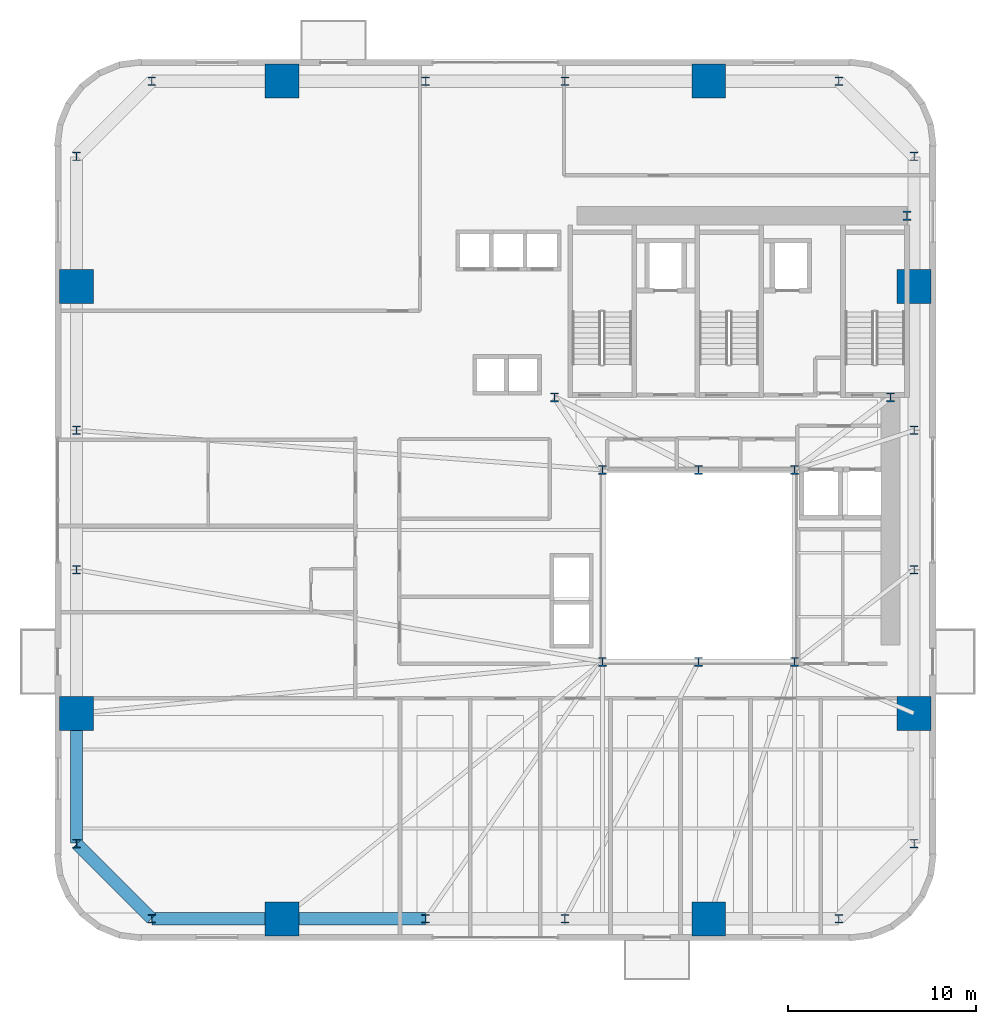
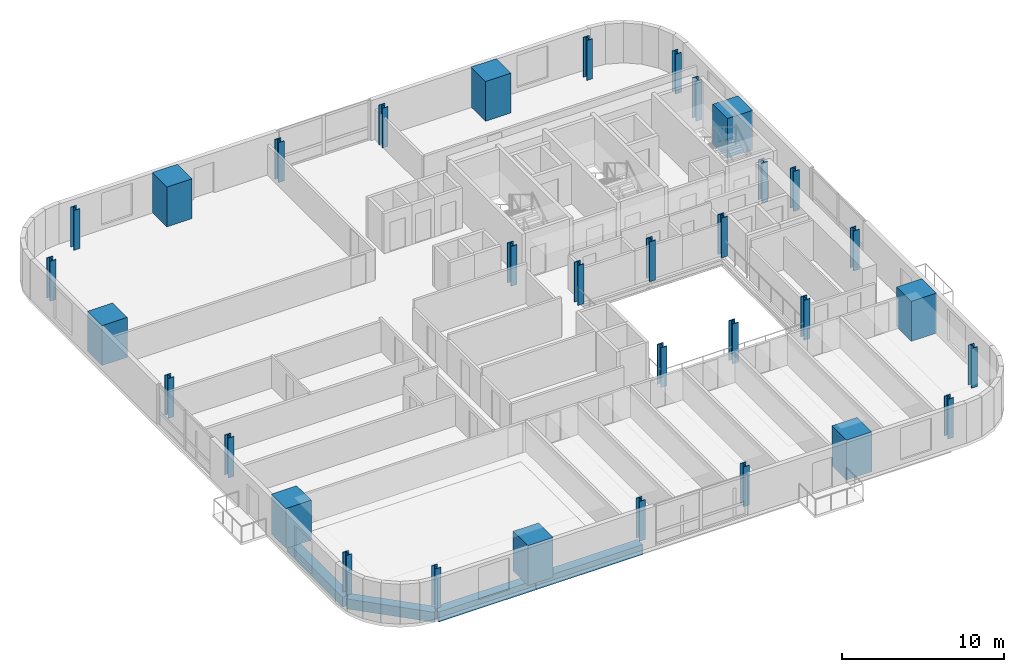
# One storey, part 1 of 13: 33 columns, 4 beams.
"""IFC4 building model written with IfcOpenShell, lengths in metres."""

from ifc_helpers import new_model, si_unit, direction, frame, origin, origin_2d, place, context, subcontext, project, spatial, rectangle, i_section, extrude, source, transform, mapped, material, material_profile, profile_set, type_object, element, save


model = new_model("IFC4")

# Units and contexts
model_context = context("Model", 3, precision=1e-05, world=origin(), true_north=direction((0.0, 1.0)))
body_context = subcontext(model_context, "Body", "Model", "MODEL_VIEW")
ifc_project = project(units=[si_unit("LENGTHUNIT", "METRE"), si_unit("AREAUNIT", "SQUARE_METRE"), si_unit("VOLUMEUNIT", "CUBIC_METRE"), si_unit("PLANEANGLEUNIT", "RADIAN"), si_unit("MASSUNIT", "GRAM", prefix="KILO")], contexts=[model_context])

# Site, building, storey
site_placement = place(None, origin())
site = spatial("IfcSite", under=ifc_project, at=site_placement, CompositionType="ELEMENT")
building_placement = place(site_placement, origin())
building = spatial("IfcBuilding", under=site, at=building_placement, Name="Vardaveli Station Tower", CompositionType="ELEMENT")
storey_placement = place(building_placement, frame((0.0, 0.0, 89.64990234375)))
storey = spatial("IfcBuildingStorey", under=building, at=storey_placement, Name="L23", CompositionType="ELEMENT", Elevation=89.64990234375)

# Columns
ifc_material_1 = material(Name="Structural steel S460M", Category="steel")
ifc_material_profile_1 = material_profile(ifc_material_1, i_section(OverallWidth=0.427978515625, OverallDepth=0.48095703125, WebThickness=0.03955078125, FlangeThickness=0.0634765625, FilletRadius=0.014892578125, at=origin_2d()), Name="HD 400x677")
ifc_profile_set_1 = profile_set([ifc_material_profile_1], Name="Structural steel S460M")
column_type_1 = type_object("IfcColumnType", Name="COL-HD677", PredefinedType="COLUMN", material=ifc_profile_set_1)
shared_shape_1 = source(origin(), body_context, "Body", "SweptSolid", [
    extrude(i_section(OverallWidth=0.427978515625, OverallDepth=0.48095703125, WebThickness=0.03955078125, FlangeThickness=0.0634765625, FilletRadius=0.014892578125, at=origin_2d()), origin(), (0.0, 0.0, 1.0), 3.0),
])
for number, where, z_axis, x_axis, name in (
    (1, (31.199951171875, 16.60009765625, 0.0), (0.0, 0.0, 1.0), (1.0, 0.0, 0.0), "COL-L23-AC1"),
    (2, (36.300048828125, 16.60009765625, 0.0), (0.0, 0.0, 1.0), (1.0, 0.0, 0.0), "COL-L23-AC2"),
    (3, (41.39990234375, 16.60009765625, 0.0), (0.0, 0.0, 1.0), (1.0, 0.0, 0.0), "COL-L23-AC3"),
    (4, (41.39990234375, 26.800048828125, 0.0), (0.0, 0.0, 1.0), (1.0, 0.0, 0.0), "COL-L23-AC4"),
    (5, (36.300048828125, 26.800048828125, 0.0), (0.0, 0.0, 1.0), (1.0, 0.0, 0.0), "COL-L23-AC5"),
    (6, (31.199951171875, 26.800048828125, 0.0), (0.0, 0.0, 1.0), (1.0, 0.0, 0.0), "COL-L23-AC6"),
    (7, (28.64990234375, 30.64990234375, 0.0), (0.0, 0.0, 1.0), (1.0, 0.0, 0.0), "COL-L23-CC1"),
    (8, (46.5, 30.64990234375, 0.0), (0.0, 0.0, 1.0), (1.0, 0.0, 0.0), "COL-L23-CC2"),
    (9, (47.3701171875, 40.300048828125, 0.0), (0.0, 0.0, 1.0), (1.0, 0.0, 0.0), "COL-L23-CC3"),
):
    element("IfcColumn", number, at=place(storey_placement, frame(where, z_axis=z_axis, x_axis=x_axis)), inside=storey, type_object=column_type_1, Name=name, PredefinedType="COLUMN", context=body_context, shape_type="MappedRepresentation", body=[
        mapped(shared_shape_1, transform((0.0, 0.0, 0.0), scale=1.0)),
    ])
ifc_material_2 = material(Name="Concrete C70/85", Category="concrete")
ifc_material_profile_2 = material_profile(ifc_material_2, rectangle(XDim=1.800048828125, YDim=1.800048828125, at=origin_2d()), Name="MC 1800x1800")
ifc_profile_set_2 = profile_set([ifc_material_profile_2], Name="Concrete C70/85")
column_type_2 = type_object("IfcColumnType", Name="COL-MC-1800", PredefinedType="COLUMN", material=ifc_profile_set_2)
shared_shape_2 = source(origin(), body_context, "Body", "SweptSolid", [
    extrude(rectangle(XDim=1.800048828125, YDim=1.800048828125, at=origin_2d()), origin(), (0.0, 0.0, 1.0), 3.0),
])
for number, where, z_axis, x_axis, name in (
    (10, (14.159912109375, 2.949951171875, 0.0), (0.0, 0.0, 1.0), (1.0, 0.0, 0.0), "COL-L23-MC1"),
    (11, (36.840087890625, 2.949951171875, 0.0), (0.0, 0.0, 1.0), (1.0, 0.0, 0.0), "COL-L23-MC2"),
    (12, (47.75, 13.860107421875, 0.0), (0.0, 0.0, 1.0), (1.0, 0.0, 0.0), "COL-L23-MC3"),
    (13, (47.75, 36.5400390625, 0.0), (0.0, 0.0, 1.0), (1.0, 0.0, 0.0), "COL-L23-MC4"),
    (14, (36.840087890625, 47.449951171875, 0.0), (0.0, 0.0, 1.0), (1.0, 0.0, 0.0), "COL-L23-MC5"),
    (15, (14.159912109375, 47.449951171875, 0.0), (0.0, 0.0, 1.0), (1.0, 0.0, 0.0), "COL-L23-MC6"),
    (16, (3.25, 36.5400390625, 0.0), (0.0, 0.0, 1.0), (1.0, 0.0, 0.0), "COL-L23-MC7"),
    (17, (3.25, 13.860107421875, 0.0), (0.0, 0.0, 1.0), (1.0, 0.0, 0.0), "COL-L23-MC8"),
):
    element("IfcColumn", number, at=place(storey_placement, frame(where, z_axis=z_axis, x_axis=x_axis)), inside=storey, type_object=column_type_2, Name=name, PredefinedType="COLUMN", context=body_context, shape_type="MappedRepresentation", body=[
        mapped(shared_shape_2, transform((0.0, 0.0, 0.0), scale=1.0)),
    ])
ifc_material_profile_3 = material_profile(ifc_material_1, i_section(OverallWidth=0.4189453125, OverallDepth=0.448974609375, WebThickness=0.030517578125, FlangeThickness=0.04833984375, FilletRadius=0.014892578125, at=origin_2d()), Name="HD 400x509")
ifc_profile_set_3 = profile_set([ifc_material_profile_3], Name="Structural steel S460M")
column_type_3 = type_object("IfcColumnType", Name="COL-HD509", PredefinedType="COLUMN", material=ifc_profile_set_3)
shared_shape_3 = source(origin(), body_context, "Body", "SweptSolid", [
    extrude(i_section(OverallWidth=0.4189453125, OverallDepth=0.448974609375, WebThickness=0.030517578125, FlangeThickness=0.04833984375, FilletRadius=0.014892578125, at=origin_2d()), origin(), (0.0, 0.0, 1.0), 3.0),
])
for number, where, z_axis, x_axis, name in (
    (18, (7.25, 2.949951171875, 0.0), (0.0, 0.0, 1.0), (1.0, 0.0, 0.0), "COL-L23-PC01"),
    (19, (21.800048828125, 2.949951171875, 0.0), (0.0, 0.0, 1.0), (1.0, 0.0, 0.0), "COL-L23-PC02"),
    (20, (29.199951171875, 2.949951171875, 0.0), (0.0, 0.0, 1.0), (1.0, 0.0, 0.0), "COL-L23-PC03"),
    (21, (43.75, 2.949951171875, 0.0), (0.0, 0.0, 1.0), (1.0, 0.0, 0.0), "COL-L23-PC04"),
    (22, (47.75, 6.949951171875, 0.0), (0.0, 0.0, 1.0), (1.0, 0.0, 0.0), "COL-L23-PC05"),
    (23, (47.75, 21.5, 0.0), (0.0, 0.0, 1.0), (1.0, 0.0, 0.0), "COL-L23-PC06"),
    (24, (47.75, 28.89990234375, 0.0), (0.0, 0.0, 1.0), (1.0, 0.0, 0.0), "COL-L23-PC07"),
    (25, (47.75, 43.449951171875, 0.0), (0.0, 0.0, 1.0), (1.0, 0.0, 0.0), "COL-L23-PC08"),
    (26, (43.75, 47.449951171875, 0.0), (0.0, 0.0, 1.0), (1.0, 0.0, 0.0), "COL-L23-PC09"),
    (27, (29.199951171875, 47.449951171875, 0.0), (0.0, 0.0, 1.0), (1.0, 0.0, 0.0), "COL-L23-PC10"),
    (28, (21.800048828125, 47.449951171875, 0.0), (0.0, 0.0, 1.0), (1.0, 0.0, 0.0), "COL-L23-PC11"),
    (29, (7.25, 47.449951171875, 0.0), (0.0, 0.0, 1.0), (1.0, 0.0, 0.0), "COL-L23-PC12"),
    (30, (3.25, 43.449951171875, 0.0), (0.0, 0.0, 1.0), (1.0, 0.0, 0.0), "COL-L23-PC13"),
    (31, (3.25, 28.89990234375, 0.0), (0.0, 0.0, 1.0), (1.0, 0.0, 0.0), "COL-L23-PC14"),
    (32, (3.25, 21.5, 0.0), (0.0, 0.0, 1.0), (1.0, 0.0, 0.0), "COL-L23-PC15"),
    (33, (3.25, 6.949951171875, 0.0), (0.0, 0.0, 1.0), (1.0, 0.0, 0.0), "COL-L23-PC16"),
):
    element("IfcColumn", number, at=place(storey_placement, frame(where, z_axis=z_axis, x_axis=x_axis)), inside=storey, type_object=column_type_3, Name=name, PredefinedType="COLUMN", context=body_context, shape_type="MappedRepresentation", body=[
        mapped(shared_shape_3, transform((0.0, 0.0, 0.0), scale=1.0)),
    ])

# Beams
ifc_material_3 = material(Name="Precast concrete C45/55", Category="concrete")
ifc_material_profile_4 = material_profile(ifc_material_3, rectangle(XDim=0.64990234375, YDim=0.75, at=origin_2d()), Name="LPB 650x750")
ifc_profile_set_4 = profile_set([ifc_material_profile_4], Name="Precast concrete C45/55")
beam_type = type_object("IfcBeamType", Name="BM-LPB-750", PredefinedType="BEAM", material=ifc_profile_set_4)
shared_shape_4 = source(origin(), body_context, "Body", "SweptSolid", [
    extrude(rectangle(XDim=0.64990234375, YDim=0.75, at=origin_2d()), origin(), (0.0, 0.0, 1.0), 7.60009765625),
])
beam_1_placement = place(storey_placement, frame((14.179931640625, 2.949951171875, -0.614990234375), z_axis=(1.0, 0.0, 0.0), x_axis=(0.0, 1.0, 0.0)))
element("IfcBeam", 34, at=beam_1_placement, inside=storey, type_object=beam_type, Name="RBM-L23-01", PredefinedType="BEAM", context=body_context, shape_type="MappedRepresentation", body=[
    mapped(shared_shape_4, transform((0.0, 0.0, 0.0), scale=1.0)),
])
shared_shape_5 = source(origin(), body_context, "Body", "SweptSolid", [
    extrude(rectangle(XDim=0.64990234375, YDim=0.75, at=origin_2d()), origin(), (0.0, 0.0, 1.0), 6.869873046875),
])
beam_2_placement = place(storey_placement, frame((7.27001953125, 2.949951171875, -0.614990234375), z_axis=(1.0, 0.0, 0.0), x_axis=(0.0, 1.0, 0.0)))
element("IfcBeam", 35, at=beam_2_placement, inside=storey, type_object=beam_type, Name="RBM-L23-24", PredefinedType="BEAM", context=body_context, shape_type="MappedRepresentation", body=[
    mapped(shared_shape_5, transform((0.0, 0.0, 0.0), scale=1.0)),
])
shared_shape_6 = source(origin(), body_context, "Body", "SweptSolid", [
    extrude(rectangle(XDim=0.64990234375, YDim=0.75, at=origin_2d()), origin(), (0.0, 0.0, 1.0), 5.61669921875),
])
beam_3_placement = place(storey_placement, frame((3.26416015625, 6.935791015625, -0.614990234375), z_axis=(0.707106781187, -0.707106781187, 0.0), x_axis=(0.707106781187, 0.707106781187, 0.0)))
element("IfcBeam", 36, at=beam_3_placement, inside=storey, type_object=beam_type, Name="RBM-L23-23", PredefinedType="BEAM", context=body_context, shape_type="MappedRepresentation", body=[
    mapped(shared_shape_6, transform((0.0, 0.0, 0.0), scale=1.0)),
])
shared_shape_7 = source(origin(), body_context, "Body", "SweptSolid", [
    extrude(rectangle(XDim=0.64990234375, YDim=0.75, at=origin_2d()), origin(), (0.0, 0.0, 1.0), 6.8701171875),
])
beam_4_placement = place(storey_placement, frame((3.25, 13.840087890625, -0.614990234375), z_axis=(0.0, -1.0, 0.0), x_axis=(1.0, 0.0, 0.0)))
element("IfcBeam", 37, at=beam_4_placement, inside=storey, type_object=beam_type, Name="RBM-L23-22", PredefinedType="BEAM", context=body_context, shape_type="MappedRepresentation", body=[
    mapped(shared_shape_7, transform((0.0, 0.0, 0.0), scale=1.0)),
])

save(model, "model.ifc")
